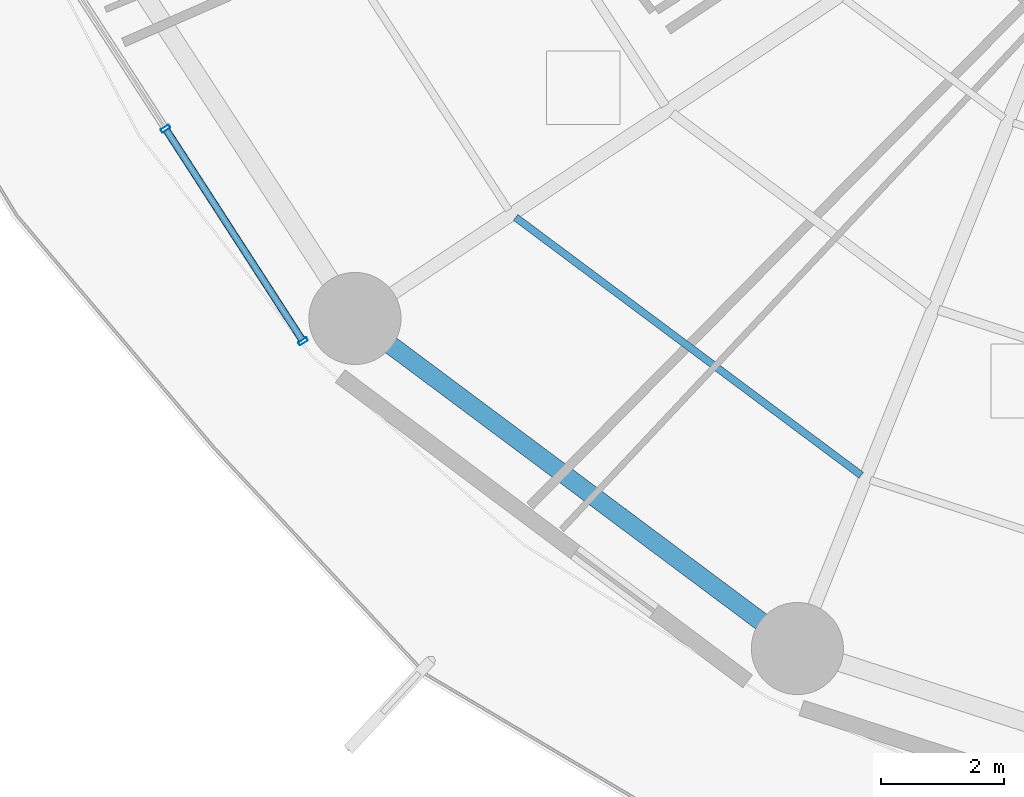
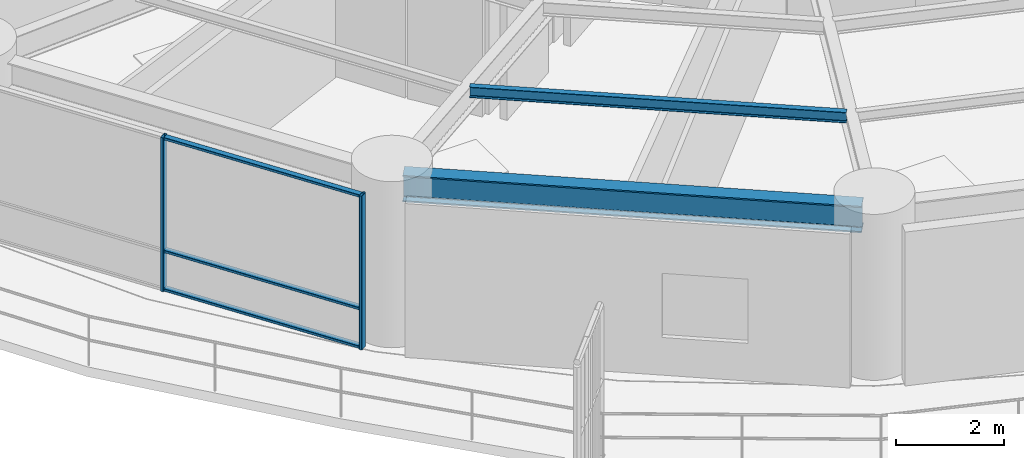
# One storey, part 2 of 34: 5 members, 2 beams, 1 element without a shape of its own.
"""IFC4 building model written with IfcOpenShell, lengths in metres."""

import ifcopenshell
import ifcopenshell.guid

model = None  # the IFC model being written
_history = None  # IfcOwnerHistory: only IFC2X3 demands one
_inside = {}  # id of a spatial element -> (the spatial element, [elements in it])
_under = {}  # id of a project, library or spatial element -> (it, [spatial elements below it])
_declared = {}  # id of a project -> (the project, [libraries it declares])
_typed = {}  # id of a type object -> (the type object, [elements of that type])
_made_of = {}  # id of a material, layer set ... -> (it, [elements and type objects made of it])


def new_model(schema):
    """Start an empty IFC model of exactly this schema.

    Asked for "IFC4X3", IfcOpenShell would pick the latest addendum, in which some entities
    have other attributes; the version numbers below select the first issue.
    IFC2X3 requires an IfcOwnerHistory on every rooted entity: one is made here for all.
    """
    global model, _history
    if schema == "IFC4X3":
        model = ifcopenshell.file(schema_version=(4, 3, 0, 0))
    else:
        model = ifcopenshell.file(schema=schema)
    _inside.clear()
    _under.clear()
    _declared.clear()
    _typed.clear()
    _made_of.clear()
    _history = None
    if model.schema == "IFC2X3":
        org = make("IfcOrganization", Name="unknown")
        user = make(
            "IfcPersonAndOrganization",
            ThePerson=make("IfcPerson", FamilyName="unknown"),
            TheOrganization=org,
        )
        app = make(
            "IfcApplication",
            ApplicationDeveloper=org,
            Version="unknown",
            ApplicationFullName="unknown",
            ApplicationIdentifier="unknown",
        )
        _history = make(
            "IfcOwnerHistory",
            OwningUser=user,
            OwningApplication=app,
            ChangeAction="ADDED",
            CreationDate=0,
        )
    return model


def make(cls, **values):
    """One entity of the class cls with the attributes given. An attribute that is None is left unset."""
    return model.create_entity(
        cls, **{name: value for name, value in values.items() if value is not None}
    )


def rooted(cls, **values):
    """An entity with a GlobalId (a new one), such as an element, a storey or a relation."""
    return make(cls, GlobalId=ifcopenshell.guid.new(), OwnerHistory=_history, **values)


def si_unit(unit_type, name, prefix=None):
    """IfcSIUnit, for example si_unit("LENGTHUNIT", "METRE", prefix="MILLI")."""
    return make("IfcSIUnit", UnitType=unit_type, Prefix=prefix, Name=name)


def assignment(units):
    """IfcUnitAssignment: the units of a project."""
    return None if units is None else make("IfcUnitAssignment", Units=units)


def point(xyz):
    """IfcCartesianPoint."""
    return None if xyz is None else make("IfcCartesianPoint", Coordinates=xyz)


def direction(xyz):
    """IfcDirection."""
    return None if xyz is None else make("IfcDirection", DirectionRatios=xyz)


def frame(location, z_axis=None, x_axis=None):
    """IfcAxis2Placement3D, a coordinate frame: its origin and axes. An axis left out is left unset."""
    return make(
        "IfcAxis2Placement3D",
        Location=point(location),
        Axis=direction(z_axis),
        RefDirection=direction(x_axis),
    )


def frame_2d(location, x_axis=None):
    """IfcAxis2Placement2D, a coordinate frame in the plane: its origin and x axis."""
    return make(
        "IfcAxis2Placement2D", Location=point(location), RefDirection=direction(x_axis)
    )


def origin():
    """The frame at (0, 0, 0) with its axes left unset."""
    return frame((0.0, 0.0, 0.0))


def origin_2d():
    """The frame at (0, 0) in the plane with its x axis left unset."""
    return frame_2d((0.0, 0.0))


def place(relative_to, where):
    """IfcLocalPlacement: puts the frame where relative to a parent placement (None: the world)."""
    return make(
        "IfcLocalPlacement", PlacementRelTo=relative_to, RelativePlacement=where
    )


def context(
    kind, dimensions, precision=None, world=None, true_north=None, identifier=None
):
    """IfcGeometricRepresentationContext, for example the 3D "Model" context."""
    return make(
        "IfcGeometricRepresentationContext",
        ContextIdentifier=identifier,
        ContextType=kind,
        CoordinateSpaceDimension=dimensions,
        Precision=precision,
        WorldCoordinateSystem=world,
        TrueNorth=true_north,
    )


def subcontext(parent, identifier, kind, view, scale=None):
    """IfcGeometricRepresentationSubContext, for example "Body" below "Model"."""
    return make(
        "IfcGeometricRepresentationSubContext",
        ContextIdentifier=identifier,
        ContextType=kind,
        ParentContext=parent,
        TargetScale=scale,
        TargetView=view,
    )


def project(units=None, contexts=None):
    """IfcProject with its units and contexts."""
    return rooted(
        "IfcProject",
        Name="project",
        RepresentationContexts=contexts,
        UnitsInContext=assignment(units),
    )


def spatial(cls, under=None, at=None, **own):
    """A site, building, storey or space (cls), placed at a placement, below another one or the project."""
    s = rooted(cls, ObjectPlacement=at, **own)
    if under is not None:
        _under.setdefault(under.id(), (under, []))[1].append(s)
    return s


def profile(cls, at=None, kind="AREA", **sizes):
    """A parametric profile (cls). Its sizes go by their IFC names, for example OverallWidth=200.0."""
    return make(cls, ProfileType=kind, Position=at, **sizes)


def hollow_rectangle(**sizes):
    """IfcRectangleHollowProfileDef."""
    return profile("IfcRectangleHollowProfileDef", **sizes)


def i_section(**sizes):
    """IfcIShapeProfileDef."""
    return profile("IfcIShapeProfileDef", **sizes)


def extrude(swept, where, along, depth):
    """IfcExtrudedAreaSolid: the profile swept, set in the frame where, extruded along a direction by depth."""
    return make(
        "IfcExtrudedAreaSolid",
        SweptArea=swept,
        Position=where,
        ExtrudedDirection=direction(along),
        Depth=depth,
    )


def shape(context_of_items, identifier, shape_type, items):
    """IfcShapeRepresentation: the items that make up one representation, for example the "Body"."""
    return make(
        "IfcShapeRepresentation",
        ContextOfItems=context_of_items,
        RepresentationIdentifier=identifier,
        RepresentationType=shape_type,
        Items=items,
    )


def material(Name=None, Category=None):
    """IfcMaterial."""
    return make("IfcMaterial", Name=Name, Category=Category)


def layer(
    of_material, thickness, ventilated=None, Name=None, Category=None, Priority=None
):
    """IfcMaterialLayer: one layer of a wall or slab, of a material (None: an air gap)."""
    return make(
        "IfcMaterialLayer",
        Material=of_material,
        LayerThickness=thickness,
        IsVentilated=ventilated,
        Name=Name,
        Category=Category,
        Priority=Priority,
    )


def layer_set(layers, Name=None):
    """IfcMaterialLayerSet."""
    return make("IfcMaterialLayerSet", MaterialLayers=layers, LayerSetName=Name)


def material_profile(
    of_material, cross_section, Name=None, Category=None, Priority=None
):
    """IfcMaterialProfile: a cross section and its material."""
    return make(
        "IfcMaterialProfile",
        Name=Name,
        Material=of_material,
        Profile=cross_section,
        Priority=Priority,
        Category=Category,
    )


def profile_set(profiles, Name=None, composite=None):
    """IfcMaterialProfileSet."""
    return make(
        "IfcMaterialProfileSet",
        Name=Name,
        MaterialProfiles=profiles,
        CompositeProfile=composite,
    )


def made_of(thing, what):
    """Note that an element or type object is made of a material, layer set ...; save() writes the relation."""
    if what is not None:
        _made_of.setdefault(what.id(), (what, []))[1].append(thing)
    return thing


def type_object(cls, material=None, **own):
    """A type object (cls), such as IfcWallType, which elements share."""
    return made_of(rooted(cls, **own), material)


def element(
    cls,
    number,
    at=None,
    inside=None,
    cuts=None,
    type_object=None,
    material=None,
    context=None,
    identifier="Body",
    shape_type=None,
    held_by="IfcProductDefinitionShape",
    body=None,
    shapes=None,
    **own,
):
    """One element of the class cls, such as IfcWall. Its Tag is "e" and its number.

    at: its placement. inside: the storey or other place that contains it. cuts: it is an
    opening in that element (IfcRelVoidsElement). A single representation is given by context,
    identifier, shape_type and body (its items); several are given by shapes. held_by: the class
    of the entity that holds the representations. save() writes the other relations.
    """
    e = rooted(cls, Tag="e%d" % number, ObjectPlacement=at, **own)
    if body is not None:
        shapes = [shape(context, identifier, shape_type, body)]
    if shapes is not None:
        e.Representation = make(held_by, Representations=shapes)
    if inside is not None:
        _inside.setdefault(inside.id(), (inside, []))[1].append(e)
    if cuts is not None:
        rooted(
            "IfcRelVoidsElement", RelatingBuildingElement=cuts, RelatedOpeningElement=e
        )
    if type_object is not None:
        _typed.setdefault(type_object.id(), (type_object, []))[1].append(e)
    return made_of(e, material)


def aggregate(whole, parts):
    """IfcRelAggregates: a whole, such as a stair, and the parts it consists of."""
    return rooted("IfcRelAggregates", RelatingObject=whole, RelatedObjects=parts)


def save(model, path):
    """Write the relations noted so far, then the file.

    IfcRelAggregates (storeys below a building ...), IfcRelContainedInSpatialStructure (elements
    in a storey), IfcRelDefinesByType, IfcRelAssociatesMaterial and IfcRelDeclares: one each for
    every whole, place, type object, material and project.
    """
    for whole, parts in _under.values():
        aggregate(whole, parts)
    for where, things in _inside.values():
        rooted(
            "IfcRelContainedInSpatialStructure",
            RelatedElements=things,
            RelatingStructure=where,
        )
    for kind, things in _typed.values():
        rooted("IfcRelDefinesByType", RelatedObjects=things, RelatingType=kind)
    for what, things in _made_of.values():
        rooted("IfcRelAssociatesMaterial", RelatedObjects=things, RelatingMaterial=what)
    for by, libraries in _declared.values():
        rooted("IfcRelDeclares", RelatingContext=by, RelatedDefinitions=libraries)
    model.write(path)


model = new_model("IFC4")

# Units and contexts
model_context = context("Model", 3, precision=1e-05, world=origin(), true_north=direction((0.0, 1.0)))
body_context = subcontext(model_context, "Body", "Model", "MODEL_VIEW")
ifc_project = project(units=[si_unit("LENGTHUNIT", "METRE"), si_unit("AREAUNIT", "SQUARE_METRE"), si_unit("VOLUMEUNIT", "CUBIC_METRE"), si_unit("PLANEANGLEUNIT", "RADIAN"), si_unit("MASSUNIT", "GRAM", prefix="KILO")], contexts=[model_context])

# Site, building, storey
site_placement = place(None, origin())
site = spatial("IfcSite", under=ifc_project, at=site_placement, CompositionType="ELEMENT")
building_placement = place(site_placement, origin())
building = spatial("IfcBuilding", under=site, at=building_placement, Name="Kelanora Arch Commons", CompositionType="ELEMENT")
storey_placement = place(building_placement, frame((0.0, 0.0, 33.75)))
storey = spatial("IfcBuildingStorey", under=building, at=storey_placement, Name="L08", CompositionType="ELEMENT", Elevation=33.75)

# Beams
ifc_material_1 = material(Name="Steel S355", Category="steel")
ifc_material_profile_1 = material_profile(ifc_material_1, i_section(OverallWidth=0.1201171875, OverallDepth=0.239990234375, WebThickness=0.006103515625, FlangeThickness=0.009765625, FilletRadius=0.014892578125, at=origin_2d()), Name="IPE240")
ifc_profile_set_1 = profile_set([ifc_material_profile_1], Name="Steel S355")
beam_type_1 = type_object("IfcBeamType", Name="BM-JST-02", PredefinedType="JOIST", material=ifc_profile_set_1)
beam_1_placement = place(storey_placement, frame((55.87255859375, 44.16650390625, 3.3701171875), z_axis=(0.80149131963, -0.598006408459, 0.0), x_axis=(0.598006408459, 0.80149131963, 0.0)))
element("IfcBeam", 1, at=beam_1_placement, inside=storey, type_object=beam_type_1, Name="Secondary Chord Joist BJC-22 L08", PredefinedType="JOIST", context=body_context, shape_type="SweptSolid", body=[
    extrude(i_section(OverallWidth=0.1201171875, OverallDepth=0.239990234375, WebThickness=0.006103515625, FlangeThickness=0.009765625, FilletRadius=0.014892578125, at=origin_2d()), origin(), (0.0, 0.0, 1.0), 7.021240234375),
])
ifc_material_profile_2 = material_profile(ifc_material_1, i_section(OverallWidth=0.300048828125, OverallDepth=0.60009765625, WebThickness=0.015380859375, FlangeThickness=0.030029296875, FilletRadius=0.027099609375, at=origin_2d()), Name="HEB600")
ifc_profile_set_2 = profile_set([ifc_material_profile_2], Name="Steel S355")
beam_type_2 = type_object("IfcBeamType", Name="BM-SPN-Z1", PredefinedType="SPANDREL", material=ifc_profile_set_2)
beam_2_placement = place(storey_placement, frame((53.431884765625, 42.39013671875, 3.18994140625), z_axis=(0.801474585329, -0.598028836322, 0.0), x_axis=(0.598028836322, 0.801474585329, 0.0)))
element("IfcBeam", 2, at=beam_2_placement, inside=storey, type_object=beam_type_2, Name="Perimeter Spandrel Beam BS-22 L08", PredefinedType="SPANDREL", context=body_context, shape_type="SweptSolid", body=[
    extrude(i_section(OverallWidth=0.300048828125, OverallDepth=0.60009765625, WebThickness=0.015380859375, FlangeThickness=0.030029296875, FilletRadius=0.027099609375, at=origin_2d()), origin(), (0.0, 0.0, 1.0), 8.549072265625),
])

# Curtain wall, members
ifc_material_2 = material(Name="Terracotta ceramic-fritted low-E glass and aluminium", Category="masonry")
ifc_layer = layer(ifc_material_2, 0.159912109375)
ifc_layer_set = layer_set([ifc_layer], Name="Terracotta ceramic-fritted low-E glass and aluminium")
curtain_wall_type = type_object("IfcCurtainWallType", Name="CW-SYS-01", PredefinedType="NOTDEFINED", material=ifc_layer_set)
curtain_wall_placement = place(storey_placement, origin())
curtain_wall = element("IfcCurtainWall", 3, at=curtain_wall_placement, inside=storey, type_object=curtain_wall_type, Name="Unitised Curtain Wall L08-B10", PredefinedType="NOTDEFINED")
ifc_material_3 = material(Name="Powder-coated aluminium terracotta", Category="masonry")
ifc_material_profile_3 = material_profile(ifc_material_3, hollow_rectangle(XDim=0.159912109375, YDim=0.06005859375, WallThickness=0.0048828125, InnerFilletRadius=0.0048828125, OuterFilletRadius=0.010009765625, at=origin_2d()), Name="CWM160x60")
ifc_profile_set_3 = profile_set([ifc_material_profile_3], Name="Powder-coated aluminium terracotta")
member_type_1 = type_object("IfcMemberType", Name="CWM-STD", PredefinedType="MULLION", material=ifc_profile_set_3)
member_1_placement = place(storey_placement, frame((50.169189453125, 45.61328125, 0.0), z_axis=(0.0, 0.0, 1.0), x_axis=(0.83972982332, 0.543004441812, 0.0)))
member_1 = element("IfcMember", 4, at=member_1_placement, type_object=member_type_1, Name="CW-01 mullion 2", PredefinedType="MULLION", context=body_context, shape_type="SweptSolid", body=[
    extrude(hollow_rectangle(XDim=0.159912109375, YDim=0.06005859375, WallThickness=0.0048828125, InnerFilletRadius=0.0048828125, OuterFilletRadius=0.010009765625, at=origin_2d()), origin(), (0.0, 0.0, 1.0), 3.47509765625),
])
member_2_placement = place(storey_placement, frame((52.41064453125, 42.14697265625, 0.0), z_axis=(0.0, 0.0, 1.0), x_axis=(0.83972982332, 0.543004441812, 0.0)))
member_2 = element("IfcMember", 5, at=member_2_placement, type_object=member_type_1, Name="CW-01 mullion 3", PredefinedType="MULLION", context=body_context, shape_type="SweptSolid", body=[
    extrude(hollow_rectangle(XDim=0.159912109375, YDim=0.06005859375, WallThickness=0.0048828125, InnerFilletRadius=0.0048828125, OuterFilletRadius=0.010009765625, at=origin_2d()), origin(), (0.0, 0.0, 1.0), 3.47509765625),
])
ifc_material_profile_4 = material_profile(ifc_material_3, hollow_rectangle(XDim=0.1201171875, YDim=0.06005859375, WallThickness=0.0048828125, InnerFilletRadius=0.0048828125, OuterFilletRadius=0.010009765625, at=origin_2d()), Name="CWT120x60")
ifc_profile_set_4 = profile_set([ifc_material_profile_4], Name="Powder-coated aluminium terracotta")
member_type_2 = type_object("IfcMemberType", Name="CWT-STD", PredefinedType="USERDEFINED", material=ifc_profile_set_4)
member_3_placement = place(storey_placement, frame((50.185546875, 45.588134765625, 0.030029296875), z_axis=(0.542997414293, -0.839734367566, 0.0), x_axis=(0.839734367566, 0.542997414293, 0.0)))
member_3 = element("IfcMember", 6, at=member_3_placement, type_object=member_type_2, Name="CW-01 transom 2.1", ObjectType="TRANSOM", PredefinedType="USERDEFINED", context=body_context, shape_type="SweptSolid", body=[
    extrude(hollow_rectangle(XDim=0.1201171875, YDim=0.06005859375, WallThickness=0.0048828125, InnerFilletRadius=0.0048828125, OuterFilletRadius=0.010009765625, at=origin_2d()), origin(), (0.0, 0.0, 1.0), 4.067626953125),
])
member_4_placement = place(storey_placement, frame((50.185546875, 45.588134765625, 0.89990234375), z_axis=(0.542997414293, -0.839734367566, 0.0), x_axis=(0.839734367566, 0.542997414293, 0.0)))
member_4 = element("IfcMember", 7, at=member_4_placement, type_object=member_type_2, Name="CW-01 transom 2.2", ObjectType="TRANSOM", PredefinedType="USERDEFINED", context=body_context, shape_type="SweptSolid", body=[
    extrude(hollow_rectangle(XDim=0.1201171875, YDim=0.06005859375, WallThickness=0.0048828125, InnerFilletRadius=0.0048828125, OuterFilletRadius=0.010009765625, at=origin_2d()), origin(), (0.0, 0.0, 1.0), 4.067626953125),
])
member_5_placement = place(storey_placement, frame((50.185546875, 45.588134765625, 3.445068359375), z_axis=(0.542997414293, -0.839734367566, 0.0), x_axis=(0.839734367566, 0.542997414293, 0.0)))
member_5 = element("IfcMember", 8, at=member_5_placement, type_object=member_type_2, Name="CW-01 transom 2.3", ObjectType="TRANSOM", PredefinedType="USERDEFINED", context=body_context, shape_type="SweptSolid", body=[
    extrude(hollow_rectangle(XDim=0.1201171875, YDim=0.06005859375, WallThickness=0.0048828125, InnerFilletRadius=0.0048828125, OuterFilletRadius=0.010009765625, at=origin_2d()), origin(), (0.0, 0.0, 1.0), 4.067626953125),
])
aggregate(curtain_wall, [member_1, member_2, member_3, member_4, member_5])

save(model, "model.ifc")
